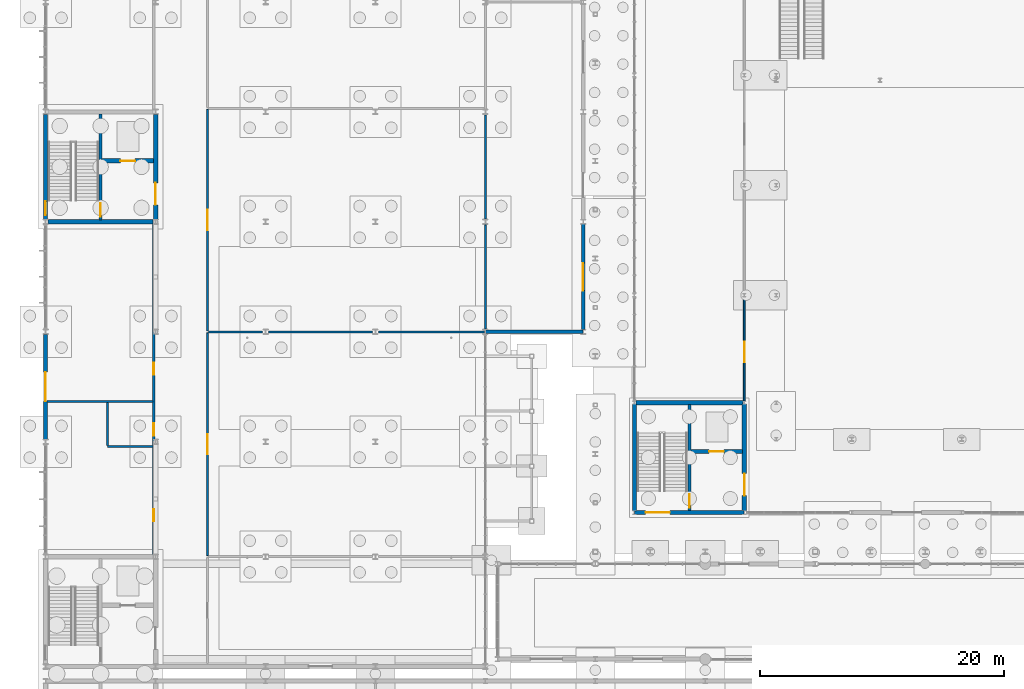
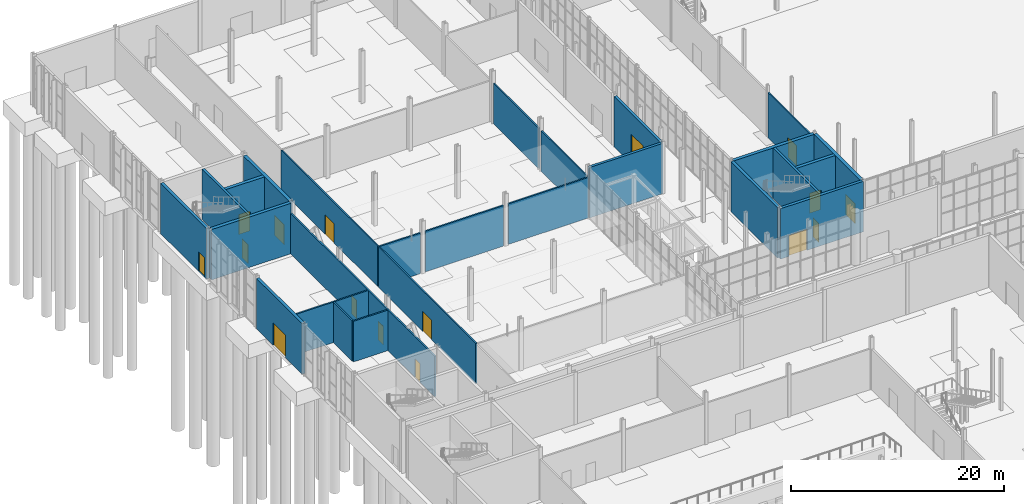
# One storey, part 101 of 131: 26 walls, 15 doors, 1 window, 16 openings.
"""IFC4 building model written with IfcOpenShell, lengths in metres."""

from ifc_helpers import new_model, si_unit, direction, frame, frame_2d, origin, place, context, subcontext, project, spatial, rectangle, extrude, material, layer, layer_set, type_object, element, fill, save


model = new_model("IFC4")

# Units and contexts
model_context = context("Model", 3, precision=1e-05, world=origin(), true_north=direction((0.0, 1.0)))
body_context = subcontext(model_context, "Body", "Model", "MODEL_VIEW")
ifc_project = project(units=[si_unit("LENGTHUNIT", "METRE"), si_unit("AREAUNIT", "SQUARE_METRE"), si_unit("VOLUMEUNIT", "CUBIC_METRE"), si_unit("PLANEANGLEUNIT", "RADIAN"), si_unit("MASSUNIT", "GRAM", prefix="KILO")], contexts=[model_context])

# Site, building, storey
site_placement = place(None, origin())
site = spatial("IfcSite", under=ifc_project, at=site_placement, CompositionType="ELEMENT")
building_placement = place(site_placement, origin())
building = spatial("IfcBuilding", under=site, at=building_placement, Name="Cazmaro Siding Exhibition Halls", CompositionType="ELEMENT")
storey_placement = place(building_placement, origin())
storey = spatial("IfcBuildingStorey", under=building, at=storey_placement, Name="L00", CompositionType="ELEMENT", Elevation=0.0)

# Wall, opening, door
ifc_material_1 = material(Name="Concrete f'c 45 MPa", Category="concrete")
ifc_layer_1 = layer(ifc_material_1, 0.320068359375)
ifc_layer_set_1 = layer_set([ifc_layer_1], Name="Concrete f'c 45 MPa")
wall_type_1 = type_object("IfcWallType", Name="EW-01", PredefinedType="STANDARD", material=ifc_layer_set_1)
wall_1_placement = place(storey_placement, frame((57.18798828125, 67.199951171875, 0.0), z_axis=(0.0, 0.0, 1.0), x_axis=(-1.0, 0.0, 0.0)))
wall_1 = element("IfcWall", 1, at=wall_1_placement, inside=storey, type_object=wall_type_1, Name="Hall A South Core Bay Wall EW-01 WL-E0001", PredefinedType="STANDARD", context=body_context, shape_type="SweptSolid", body=[
    extrude(rectangle(XDim=8.97607421875, YDim=0.320068359375, at=frame_2d((4.488037109375, 0.0))), origin(), (0.0, 0.0, 1.0), 5.780029296875),
])
opening_1_placement = place(wall_1_placement, frame((6.075927734375, 0.0, 0.0)))
opening_1 = element("IfcOpeningElement", 2, at=opening_1_placement, cuts=wall_1, Name="Opening D-E001", PredefinedType="OPENING", context=body_context, shape_type="SweptSolid", body=[
    extrude(rectangle(XDim=2.0, YDim=2.39990234375, at=frame_2d((1.0, 1.199951171875))), frame((0.0, 0.169921875, 0.0), z_axis=(0.0, -1.0, 0.0), x_axis=(1.0, 0.0, 0.0)), (0.0, 0.0, 1.0), 0.340087890625),
])
ifc_material_2 = material(Name="Anodized Bronze Glazed Entrance Door", Category="aluminium")
door_type_1 = type_object("IfcDoorType", Name="ED-01", OperationType="DOUBLE_DOOR_SINGLE_SWING", PredefinedType="DOOR", material=ifc_material_2)
door_1_placement = place(opening_1_placement, origin())
door_1 = element("IfcDoor", 3, at=door_1_placement, inside=storey, type_object=door_type_1, Name="Exterior door D-E001 (ED-01)", OperationType="DOUBLE_DOOR_SINGLE_SWING", OverallHeight=2.39990234375, OverallWidth=2.0, PredefinedType="DOOR", context=body_context, shape_type="SweptSolid", body=[
    extrude(rectangle(XDim=2.0, YDim=2.39990234375, at=frame_2d((1.0, 1.199951171875))), frame((0.0, 0.02490234375, 0.0), z_axis=(0.0, -1.0, 0.0), x_axis=(1.0, 0.0, 0.0)), (0.0, 0.0, 1.0), 0.050048828125),
])
fill(opening_1, door_1)

# Wall
wall_2_placement = place(storey_placement, frame((48.199951171875, 67.346923828125, 0.0), z_axis=(0.0, 0.0, 1.0), x_axis=(0.0, 1.0, 0.0)))
element("IfcWall", 4, at=wall_2_placement, inside=storey, type_object=wall_type_1, Name="Hall A Core End Wall L00 EW-01 WL-E0030", PredefinedType="STANDARD", context=body_context, shape_type="SweptSolid", body=[
    extrude(rectangle(XDim=8.72705078125, YDim=0.320068359375, at=frame_2d((4.363525390625, 0.0))), origin(), (0.0, 0.0, 1.0), 5.780029296875),
])

# Wall, opening, door
wall_3_placement = place(storey_placement, frame((0.0, 73.201904296875, 0.0), z_axis=(0.0, 0.0, 1.0), x_axis=(0.0, 1.0, 0.0)))
wall_3 = element("IfcWall", 5, at=wall_3_placement, inside=storey, type_object=wall_type_1, Name="West Wing Street Pier Wall L00 EW-01 WL-E0242", PredefinedType="STANDARD", context=body_context, shape_type="SweptSolid", body=[
    extrude(rectangle(XDim=8.59619140625, YDim=0.320068359375, at=frame_2d((4.298095703125, 0.0))), origin(), (0.0, 0.0, 1.0), 5.780029296875),
])
opening_2_placement = place(wall_3_placement, frame((3.097900390625, 0.0, 0.0)))
opening_2 = element("IfcOpeningElement", 6, at=opening_2_placement, cuts=wall_3, Name="Opening D-E062", PredefinedType="OPENING", context=body_context, shape_type="SweptSolid", body=[
    extrude(rectangle(XDim=2.39990234375, YDim=2.60009765625, at=frame_2d((1.199951171875, 1.300048828125))), frame((0.0, 0.169921875, 0.0), z_axis=(0.0, -1.0, 0.0), x_axis=(1.0, 0.0, 0.0)), (0.0, 0.0, 1.0), 0.340087890625),
])
ifc_material_3 = material(Name="Anodized Bronze Glazed Entrance Door", Category="aluminium")
door_type_2 = type_object("IfcDoorType", Name="ED-02", OperationType="DOUBLE_DOOR_SINGLE_SWING", PredefinedType="DOOR", material=ifc_material_3)
door_2_placement = place(opening_2_placement, origin())
door_2 = element("IfcDoor", 7, at=door_2_placement, inside=storey, type_object=door_type_2, Name="Exterior door D-E062 (ED-02)", OperationType="DOUBLE_DOOR_SINGLE_SWING", OverallHeight=2.60009765625, OverallWidth=2.39990234375, PredefinedType="DOOR", context=body_context, shape_type="SweptSolid", body=[
    extrude(rectangle(XDim=2.39990234375, YDim=2.60009765625, at=frame_2d((1.199951171875, 1.300048828125))), frame((0.0, 0.02490234375, 0.0), z_axis=(0.0, -1.0, 0.0), x_axis=(1.0, 0.0, 0.0)), (0.0, 0.0, 1.0), 0.050048828125),
])
fill(opening_2, door_2)

wall_4_placement = place(storey_placement, frame((0.0, 91.201904296875, 0.0), z_axis=(0.0, 0.0, 1.0), x_axis=(0.0, 1.0, 0.0)))
wall_4 = element("IfcWall", 8, at=wall_4_placement, inside=storey, type_object=wall_type_1, Name="West Wing Core Street Wall L00 EW-01 WL-E0244", PredefinedType="STANDARD", context=body_context, shape_type="SweptSolid", body=[
    extrude(rectangle(XDim=8.59619140625, YDim=0.320068359375, at=frame_2d((4.298095703125, 0.0))), origin(), (0.0, 0.0, 1.0), 5.780029296875),
])
opening_3_placement = place(wall_4_placement, frame((0.360107421875, 0.0, 0.0)))
opening_3 = element("IfcOpeningElement", 9, at=opening_3_placement, cuts=wall_4, Name="Opening D-E063", PredefinedType="OPENING", context=body_context, shape_type="SweptSolid", body=[
    extrude(rectangle(XDim=1.1201171875, YDim=2.239990234375, at=frame_2d((0.56005859375, 1.1201171875))), frame((0.0, 0.169921875, 0.0), z_axis=(0.0, -1.0, 0.0), x_axis=(1.0, 0.0, 0.0)), (0.0, 0.0, 1.0), 0.340087890625),
])
ifc_material_4 = material(Name="Anodized Bronze Glazed Entrance Door", Category="aluminium")
door_type_3 = type_object("IfcDoorType", Name="ED-04", OperationType="NOTDEFINED", PredefinedType="DOOR", material=ifc_material_4)
door_3_placement = place(opening_3_placement, origin())
door_3 = element("IfcDoor", 10, at=door_3_placement, inside=storey, type_object=door_type_3, Name="Exterior door D-E063 (ED-04)", OperationType="SINGLE_SWING_LEFT", OverallHeight=2.239990234375, OverallWidth=1.1201171875, PredefinedType="DOOR", context=body_context, shape_type="SweptSolid", body=[
    extrude(rectangle(XDim=1.1201171875, YDim=2.239990234375, at=frame_2d((0.56005859375, 1.1201171875))), frame((0.0, 0.02490234375, 0.0), z_axis=(0.0, -1.0, 0.0), x_axis=(1.0, 0.0, 0.0)), (0.0, 0.0, 1.0), 0.050048828125),
])
fill(opening_3, door_3)

# Wall, opening, window
ifc_material_5 = material(Name="Precast concrete f'c 40 MPa", Category="concrete")
ifc_layer_2 = layer(ifc_material_5, 0.280029296875)
ifc_layer_set_2 = layer_set([ifc_layer_2], Name="Precast concrete f'c 40 MPa")
wall_type_2 = type_object("IfcWallType", Name="EW-02", PredefinedType="STANDARD", material=ifc_layer_set_2)
wall_5_placement = place(storey_placement, frame((44.0, 90.818115234375, 0.0), z_axis=(0.0, 0.0, 1.0), x_axis=(0.0, -1.0, 0.0)))
wall_5 = element("IfcWall", 11, at=wall_5_placement, inside=storey, type_object=wall_type_2, Name="NW Wing East Wall L00 EW-02 WL-E0243", PredefinedType="STANDARD", context=body_context, shape_type="SweptSolid", body=[
    extrude(rectangle(XDim=8.63623046875, YDim=0.280029296875, at=frame_2d((4.318115234375, 0.0))), origin(), (0.0, 0.0, 1.0), 5.780029296875),
])
opening_4_placement = place(wall_5_placement, frame((3.193115234375, 0.0, 1.0)))
opening_4 = element("IfcOpeningElement", 12, at=opening_4_placement, cuts=wall_5, Name="Opening W-066", PredefinedType="OPENING", context=body_context, shape_type="SweptSolid", body=[
    extrude(rectangle(XDim=2.25, YDim=2.39990234375, at=frame_2d((1.125, 1.199951171875))), frame((0.0, 0.14990234375, 0.0), z_axis=(0.0, -1.0, 0.0), x_axis=(1.0, 0.0, 0.0)), (0.0, 0.0, 1.0), 0.300048828125),
])
ifc_material_6 = material(Name="Thermally Broken Aluminum Low-E Window Unit", Category="aluminium")
window_type = type_object("IfcWindowType", Name="WT-06", PartitioningType="SINGLE_PANEL", PredefinedType="WINDOW", material=ifc_material_6)
window_placement = place(opening_4_placement, origin())
window = element("IfcWindow", 13, at=window_placement, inside=storey, type_object=window_type, Name="Window W-066 (WT-06)", OverallHeight=2.39990234375, OverallWidth=2.25, PartitioningType="SINGLE_PANEL", PredefinedType="WINDOW", context=body_context, shape_type="SweptSolid", body=[
    extrude(rectangle(XDim=2.25, YDim=2.39990234375, at=frame_2d((1.125, 1.199951171875))), frame((0.0, 0.030029296875, 0.0), z_axis=(0.0, -1.0, 0.0), x_axis=(1.0, 0.0, 0.0)), (0.0, 0.0, 1.0), 0.06005859375),
])
fill(opening_4, window)

# Wall
wall_6_placement = place(storey_placement, frame((43.985107421875, 82.0, 0.0), z_axis=(0.0, 0.0, 1.0), x_axis=(-1.0, 0.0, 0.0)))
element("IfcWall", 14, at=wall_6_placement, inside=storey, type_object=wall_type_2, Name="NW Wing South Return Wall L00 EW-02 WL-E0250", PredefinedType="STANDARD", context=body_context, shape_type="SweptSolid", body=[
    extrude(rectangle(XDim=7.963134765625, YDim=0.280029296875, at=frame_2d((3.9814453125, 0.0))), origin(), (0.0, 0.0, 1.0), 5.780029296875),
])

# Wall, opening, door
ifc_material_7 = material(Name="Fire-Rated Gypsum Board on Cold-Formed Steel Studs", Category="steel")
ifc_layer_3 = layer(ifc_material_7, 0.14501953125)
ifc_layer_set_3 = layer_set([ifc_layer_3], Name="Fire-Rated Gypsum Board on Cold-Formed Steel Studs")
wall_type_3 = type_object("IfcWallType", Name="PW-01", PredefinedType="PARTITIONING", material=ifc_layer_set_3)
wall_7_placement = place(storey_placement, frame((57.199951171875, 76.326904296875, 0.0), z_axis=(0.0, 0.0, 1.0), x_axis=(0.0, 1.0, 0.0)))
wall_7 = element("IfcWall", 15, at=wall_7_placement, inside=storey, type_object=wall_type_3, Name="Hall A West Concierge Partition PW-01 WL-I0139", PredefinedType="PARTITIONING", context=body_context, shape_type="SweptSolid", body=[
    extrude(rectangle(XDim=8.546142578125, YDim=0.14501953125, at=frame_2d((4.27294921875, 0.0))), origin(), (0.0, 0.0, 1.0), 5.199951171875),
])
opening_5_placement = place(wall_7_placement, frame((3.199951171875, 0.0, 0.0)))
opening_5 = element("IfcOpeningElement", 16, at=opening_5_placement, cuts=wall_7, Name="Opening D-I064", PredefinedType="OPENING", context=body_context, shape_type="SweptSolid", body=[
    extrude(rectangle(XDim=1.64990234375, YDim=2.25, at=frame_2d((0.824951171875, 1.125))), frame((0.0, 0.08251953125, 0.0), z_axis=(0.0, -1.0, 0.0), x_axis=(1.0, 0.0, 0.0)), (0.0, 0.0, 1.0), 0.1650390625),
])
ifc_material_8 = material(Name="Fire-Rated Painted Hollow Metal Door", Category="steel")
door_type_4 = type_object("IfcDoorType", Name="ID-05", OperationType="DOUBLE_DOOR_SINGLE_SWING", PredefinedType="DOOR", material=ifc_material_8)
door_4_placement = place(opening_5_placement, origin())
door_4 = element("IfcDoor", 17, at=door_4_placement, inside=storey, type_object=door_type_4, Name="Interior door D-I064 (ID-05)", OperationType="DOUBLE_DOOR_SINGLE_SWING", OverallHeight=2.25, OverallWidth=1.64990234375, PredefinedType="DOOR", context=body_context, shape_type="SweptSolid", body=[
    extrude(rectangle(XDim=1.64990234375, YDim=2.25, at=frame_2d((0.824951171875, 1.125))), frame((0.0, 0.02490234375, 0.0), z_axis=(0.0, -1.0, 0.0), x_axis=(1.0, 0.0, 0.0)), (0.0, 0.0, 1.0), 0.050048828125),
])
fill(opening_5, door_4)

wall_8_placement = place(storey_placement, frame((13.25, 63.679931640625, 0.0), z_axis=(0.0, 0.0, 1.0), x_axis=(0.0, 1.0, 0.0)))
wall_8 = element("IfcWall", 18, at=wall_8_placement, inside=storey, type_object=wall_type_3, Name="West Wing East Corridor Wall L00 PW-01 WL-I0188", PredefinedType="PARTITIONING", context=body_context, shape_type="SweptSolid", body=[
    extrude(rectangle(XDim=18.239990234375, YDim=0.14501953125, at=frame_2d((9.1201171875, 0.0))), origin(), (0.0, 0.0, 1.0), 4.64990234375),
])
opening_6_placement = place(wall_8_placement, frame((8.294921875, 0.0, 0.0)))
opening_6 = element("IfcOpeningElement", 19, at=opening_6_placement, cuts=wall_8, Name="Opening D-I096", PredefinedType="OPENING", context=body_context, shape_type="SweptSolid", body=[
    extrude(rectangle(XDim=1.64990234375, YDim=2.25, at=frame_2d((0.824951171875, 1.125))), frame((0.0, 0.08251953125, 0.0), z_axis=(0.0, -1.0, 0.0), x_axis=(1.0, 0.0, 0.0)), (0.0, 0.0, 1.0), 0.1650390625),
])
door_5_placement = place(opening_6_placement, origin())
door_5 = element("IfcDoor", 20, at=door_5_placement, inside=storey, type_object=door_type_4, Name="Interior door D-I096 (ID-05)", OperationType="DOUBLE_DOOR_SINGLE_SWING", OverallHeight=2.25, OverallWidth=1.64990234375, PredefinedType="DOOR", context=body_context, shape_type="SweptSolid", body=[
    extrude(rectangle(XDim=1.64990234375, YDim=2.25, at=frame_2d((0.824951171875, 1.125))), frame((0.0, 0.02490234375, 0.0), z_axis=(0.0, -1.0, 0.0), x_axis=(1.0, 0.0, 0.0)), (0.0, 0.0, 1.0), 0.050048828125),
])
fill(opening_6, door_5)

wall_9_placement = place(storey_placement, frame((13.25, 82.080078125, 0.0), z_axis=(0.0, 0.0, 1.0), x_axis=(0.0, 1.0, 0.0)))
wall_9 = element("IfcWall", 21, at=wall_9_placement, inside=storey, type_object=wall_type_3, Name="West Wing East Corridor Wall L00 PW-01 WL-I0189", PredefinedType="PARTITIONING", context=body_context, shape_type="SweptSolid", body=[
    extrude(rectangle(XDim=18.139892578125, YDim=0.14501953125, at=frame_2d((9.06982421875, 0.0))), origin(), (0.0, 0.0, 1.0), 4.64990234375),
])
opening_7_placement = place(wall_9_placement, frame((8.2451171875, 0.0, 0.0)))
opening_7 = element("IfcOpeningElement", 22, at=opening_7_placement, cuts=wall_9, Name="Opening D-I097", PredefinedType="OPENING", context=body_context, shape_type="SweptSolid", body=[
    extrude(rectangle(XDim=1.64990234375, YDim=2.25, at=frame_2d((0.824951171875, 1.125))), frame((0.0, 0.08251953125, 0.0), z_axis=(0.0, -1.0, 0.0), x_axis=(1.0, 0.0, 0.0)), (0.0, 0.0, 1.0), 0.1650390625),
])
door_6_placement = place(opening_7_placement, origin())
door_6 = element("IfcDoor", 23, at=door_6_placement, inside=storey, type_object=door_type_4, Name="Interior door D-I097 (ID-05)", OperationType="DOUBLE_DOOR_SINGLE_SWING", OverallHeight=2.25, OverallWidth=1.64990234375, PredefinedType="DOOR", context=body_context, shape_type="SweptSolid", body=[
    extrude(rectangle(XDim=1.64990234375, YDim=2.25, at=frame_2d((0.824951171875, 1.125))), frame((0.0, 0.02490234375, 0.0), z_axis=(0.0, -1.0, 0.0), x_axis=(1.0, 0.0, 0.0)), (0.0, 0.0, 1.0), 0.050048828125),
])
fill(opening_7, door_6)

# Walls
for number, where, z_axis, x_axis, name in (
    (24, (36.0, 82.25, 0.0), (0.0, 0.0, 1.0), (0.0, 1.0, 0.0), "NW Wing Suite Wall L00 PW-01 WL-I0205"),
    (25, (36.0, 91.25, 0.0), (0.0, 0.0, 1.0), (0.0, 1.0, 0.0), "NW Wing Suite Wall L00 PW-01 WL-I0206"),
):
    element("IfcWall", number, at=place(storey_placement, frame(where, z_axis=z_axis, x_axis=x_axis)), inside=storey, type_object=wall_type_3, Name=name, PredefinedType="PARTITIONING", context=body_context, shape_type="SweptSolid", body=[
        extrude(rectangle(XDim=8.5, YDim=0.14501953125, at=frame_2d((4.25, 0.0))), origin(), (0.0, 0.0, 1.0), 4.64990234375),
    ])
ifc_material_9 = material(Name="Moisture-Resistant Gypsum Board on Acoustic Steel Studs", Category="steel")
ifc_layer_4 = layer(ifc_material_9, 0.1650390625)
ifc_layer_set_4 = layer_set([ifc_layer_4], Name="Moisture-Resistant Gypsum Board on Acoustic Steel Studs")
wall_type_4 = type_object("IfcWallType", Name="PW-02", PredefinedType="PARTITIONING", material=ifc_layer_set_4)
wall_10_placement = place(storey_placement, frame((13.320068359375, 82.0, 0.0), z_axis=(0.0, 0.0, 1.0), x_axis=(1.0, 0.0, 0.0)))
element("IfcWall", 26, at=wall_10_placement, inside=storey, type_object=wall_type_4, Name="West Wing East Room Divider L00 PW-02 WL-I0194", PredefinedType="PARTITIONING", context=body_context, shape_type="SweptSolid", body=[
    extrude(rectangle(XDim=4.429931640625, YDim=0.1650390625, at=frame_2d((2.21484375, 0.0))), origin(), (0.0, 0.0, 1.0), 4.64990234375),
])
wall_11_placement = place(storey_placement, frame((18.25, 82.0, 0.0), z_axis=(0.0, 0.0, 1.0), x_axis=(1.0, 0.0, 0.0)))
element("IfcWall", 27, at=wall_11_placement, inside=storey, type_object=wall_type_4, Name="West Wing East Room Divider L00 PW-02 WL-I0195", PredefinedType="PARTITIONING", context=body_context, shape_type="SweptSolid", body=[
    extrude(rectangle(XDim=8.5, YDim=0.1650390625, at=frame_2d((4.25, 0.0))), origin(), (0.0, 0.0, 1.0), 4.64990234375),
])
wall_12_placement = place(storey_placement, frame((27.25, 82.0, 0.0), z_axis=(0.0, 0.0, 1.0), x_axis=(1.0, 0.0, 0.0)))
element("IfcWall", 28, at=wall_12_placement, inside=storey, type_object=wall_type_4, Name="West Wing East Room Divider L00 PW-02 WL-I0196", PredefinedType="PARTITIONING", context=body_context, shape_type="SweptSolid", body=[
    extrude(rectangle(XDim=8.68994140625, YDim=0.1650390625, at=frame_2d((4.344970703125, 0.0))), origin(), (0.0, 0.0, 1.0), 4.64990234375),
])

# Wall, openings, doors
wall_13_placement = place(storey_placement, frame((8.85009765625, 63.780029296875, 0.0), z_axis=(0.0, 0.0, 1.0), x_axis=(0.0, 1.0, 0.0)))
wall_13 = element("IfcWall", 29, at=wall_13_placement, inside=storey, type_object=wall_type_4, Name="West Wing West Service Wall L00 PW-02 WL-I0200", PredefinedType="PARTITIONING", context=body_context, shape_type="SweptSolid", body=[
    extrude(rectangle(XDim=27.0400390625, YDim=0.1650390625, at=frame_2d((13.52001953125, 0.0))), origin(), (0.0, 0.0, 1.0), 4.64990234375),
])
opening_8_placement = place(wall_13_placement, frame((2.719970703125, 0.0, 0.0)))
opening_8 = element("IfcOpeningElement", 30, at=opening_8_placement, cuts=wall_13, Name="Opening D-I099", PredefinedType="OPENING", context=body_context, shape_type="SweptSolid", body=[
    extrude(rectangle(XDim=0.97998046875, YDim=2.14990234375, at=frame_2d((0.489990234375, 1.074951171875))), frame((0.0, 0.092529296875, 0.0), z_axis=(0.0, -1.0, 0.0), x_axis=(1.0, 0.0, 0.0)), (0.0, 0.0, 1.0), 0.18505859375),
])
opening_9_placement = place(wall_13_placement, frame((9.719970703125, 0.0, 0.0)))
opening_9 = element("IfcOpeningElement", 31, at=opening_9_placement, cuts=wall_13, Name="Opening D-I100", PredefinedType="OPENING", context=body_context, shape_type="SweptSolid", body=[
    extrude(rectangle(XDim=1.02001953125, YDim=2.159912109375, at=frame_2d((0.510009765625, 1.080078125))), frame((0.0, 0.092529296875, 0.0), z_axis=(0.0, -1.0, 0.0), x_axis=(1.0, 0.0, 0.0)), (0.0, 0.0, 1.0), 0.18505859375),
])
opening_10_placement = place(wall_13_placement, frame((14.719970703125, 0.0, 0.0)))
opening_10 = element("IfcOpeningElement", 32, at=opening_10_placement, cuts=wall_13, Name="Opening D-I101", PredefinedType="OPENING", context=body_context, shape_type="SweptSolid", body=[
    extrude(rectangle(XDim=0.949951171875, YDim=2.1201171875, at=frame_2d((0.47509765625, 1.06005859375))), frame((0.0, 0.092529296875, 0.0), z_axis=(0.0, -1.0, 0.0), x_axis=(1.0, 0.0, 0.0)), (0.0, 0.0, 1.0), 0.18505859375),
])
ifc_material_10 = material(Name="Fire-Rated Painted Hollow Metal Door", Category="steel")
door_type_5 = type_object("IfcDoorType", Name="ID-03", OperationType="NOTDEFINED", PredefinedType="DOOR", material=ifc_material_10)
door_7_placement = place(opening_8_placement, origin())
door_7 = element("IfcDoor", 33, at=door_7_placement, inside=storey, type_object=door_type_5, Name="Interior door D-I099 (ID-03)", OperationType="SINGLE_SWING_LEFT", OverallHeight=2.14990234375, OverallWidth=0.97998046875, PredefinedType="DOOR", context=body_context, shape_type="SweptSolid", body=[
    extrude(rectangle(XDim=0.97998046875, YDim=2.14990234375, at=frame_2d((0.489990234375, 1.074951171875))), frame((0.0, 0.02490234375, 0.0), z_axis=(0.0, -1.0, 0.0), x_axis=(1.0, 0.0, 0.0)), (0.0, 0.0, 1.0), 0.050048828125),
])
fill(opening_8, door_7)
ifc_material_11 = material(Name="Fire-Rated Painted Hollow Metal Door", Category="steel")
door_type_6 = type_object("IfcDoorType", Name="ID-04", OperationType="NOTDEFINED", PredefinedType="DOOR", material=ifc_material_11)
door_8_placement = place(opening_10_placement, origin())
door_8 = element("IfcDoor", 34, at=door_8_placement, inside=storey, type_object=door_type_6, Name="Interior door D-I101 (ID-04)", OperationType="SINGLE_SWING_LEFT", OverallHeight=2.1201171875, OverallWidth=0.949951171875, PredefinedType="DOOR", context=body_context, shape_type="SweptSolid", body=[
    extrude(rectangle(XDim=0.949951171875, YDim=2.1201171875, at=frame_2d((0.47509765625, 1.06005859375))), frame((0.0, 0.02490234375, 0.0), z_axis=(0.0, -1.0, 0.0), x_axis=(1.0, 0.0, 0.0)), (0.0, 0.0, 1.0), 0.050048828125),
])
fill(opening_10, door_8)
ifc_material_12 = material(Name="Fire-Rated Painted Hollow Metal Door", Category="steel")
door_type_7 = type_object("IfcDoorType", Name="ID-07", OperationType="NOTDEFINED", PredefinedType="DOOR", material=ifc_material_12)
door_9_placement = place(opening_9_placement, origin())
door_9 = element("IfcDoor", 35, at=door_9_placement, inside=storey, type_object=door_type_7, Name="Interior door D-I100 (ID-07)", OperationType="SINGLE_SWING_RIGHT", OverallHeight=2.159912109375, OverallWidth=1.02001953125, PredefinedType="DOOR", context=body_context, shape_type="SweptSolid", body=[
    extrude(rectangle(XDim=1.02001953125, YDim=2.159912109375, at=frame_2d((0.510009765625, 1.080078125))), frame((0.0, 0.02490234375, 0.0), z_axis=(0.0, -1.0, 0.0), x_axis=(1.0, 0.0, 0.0)), (0.0, 0.0, 1.0), 0.050048828125),
])
fill(opening_9, door_9)

# Walls
wall_14_placement = place(storey_placement, frame((5.050048828125, 72.60009765625, 0.0), z_axis=(0.0, 0.0, 1.0), x_axis=(1.0, 0.0, 0.0)))
element("IfcWall", 36, at=wall_14_placement, inside=storey, type_object=wall_type_4, Name="Accessible WC South Partition L00 PW-02 WL-I0202", PredefinedType="PARTITIONING", context=body_context, shape_type="SweptSolid", body=[
    extrude(rectangle(XDim=3.72998046875, YDim=0.1650390625, at=frame_2d((1.864990234375, 0.0))), origin(), (0.0, 0.0, 1.0), 4.64990234375),
])
wall_15_placement = place(storey_placement, frame((5.050048828125, 72.679931640625, 0.0), z_axis=(0.0, 0.0, 1.0), x_axis=(0.0, 1.0, 0.0)))
element("IfcWall", 37, at=wall_15_placement, inside=storey, type_object=wall_type_4, Name="Accessible WC West Partition L00 PW-02 WL-I0203", PredefinedType="PARTITIONING", context=body_context, shape_type="SweptSolid", body=[
    extrude(rectangle(XDim=3.5400390625, YDim=0.1650390625, at=frame_2d((1.77001953125, 0.0))), origin(), (0.0, 0.0, 1.0), 4.64990234375),
])
wall_16_placement = place(storey_placement, frame((0.10009765625, 76.300048828125, 0.0), z_axis=(0.0, 0.0, 1.0), x_axis=(1.0, 0.0, 0.0)))
element("IfcWall", 38, at=wall_16_placement, inside=storey, type_object=wall_type_4, Name="West Wing Restroom Divider L00 PW-02 WL-I0204", PredefinedType="PARTITIONING", context=body_context, shape_type="SweptSolid", body=[
    extrude(rectangle(XDim=8.679931640625, YDim=0.1650390625, at=frame_2d((4.33984375, 0.0))), origin(), (0.0, 0.0, 1.0), 4.64990234375),
])

# Wall, opening, door
ifc_material_13 = material(Name="Concrete f'c 50 MPa", Category="concrete")
ifc_layer_5 = layer(ifc_material_13, 0.360107421875)
ifc_layer_set_5 = layer_set([ifc_layer_5], Name="Concrete f'c 50 MPa")
wall_type_5 = type_object("IfcWallType", Name="SW-01", PredefinedType="SHEAR", material=ifc_layer_set_5)
wall_17_placement = place(storey_placement, frame((57.199951171875, 67.347900390625, 0.0), z_axis=(0.0, 0.0, 1.0), x_axis=(0.0, 1.0, 0.0)))
wall_17 = element("IfcWall", 39, at=wall_17_placement, inside=storey, type_object=wall_type_5, Name="Core C1 East Shear Wall SW-01 WL-I0001", PredefinedType="SHEAR", context=body_context, shape_type="SweptSolid", body=[
    extrude(rectangle(XDim=8.72509765625, YDim=0.360107421875, at=frame_2d((4.362548828125, 0.0))), origin(), (0.0, 0.0, 1.0), 5.780029296875),
])
opening_11_placement = place(wall_17_placement, frame((1.251953125, 0.0, 0.0)))
opening_11 = element("IfcOpeningElement", 40, at=opening_11_placement, cuts=wall_17, Name="Opening D-I002", PredefinedType="OPENING", context=body_context, shape_type="SweptSolid", body=[
    extrude(rectangle(XDim=1.800048828125, YDim=2.300048828125, at=frame_2d((0.89990234375, 1.14990234375))), frame((0.0, 0.18994140625, 0.0), z_axis=(0.0, -1.0, 0.0), x_axis=(1.0, 0.0, 0.0)), (0.0, 0.0, 1.0), 0.380126953125),
])
ifc_material_14 = material(Name="Fire-Rated Painted Hollow Metal Door", Category="steel")
door_type_8 = type_object("IfcDoorType", Name="ID-02", OperationType="DOUBLE_DOOR_SINGLE_SWING", PredefinedType="DOOR", material=ifc_material_14)
door_10_placement = place(opening_11_placement, origin())
door_10 = element("IfcDoor", 41, at=door_10_placement, inside=storey, type_object=door_type_8, Name="Interior door D-I002 (ID-02)", OperationType="DOUBLE_DOOR_SINGLE_SWING", OverallHeight=2.300048828125, OverallWidth=1.800048828125, PredefinedType="DOOR", context=body_context, shape_type="SweptSolid", body=[
    extrude(rectangle(XDim=1.800048828125, YDim=2.300048828125, at=frame_2d((0.89990234375, 1.14990234375))), frame((0.0, 0.02490234375, 0.0), z_axis=(0.0, -1.0, 0.0), x_axis=(1.0, 0.0, 0.0)), (0.0, 0.0, 1.0), 0.050048828125),
])
fill(opening_11, door_10)

# Wall
wall_18_placement = place(storey_placement, frame((48.323974609375, 76.199951171875, 0.0), z_axis=(0.0, 0.0, 1.0), x_axis=(1.0, 0.0, 0.0)))
element("IfcWall", 42, at=wall_18_placement, inside=storey, type_object=wall_type_5, Name="Core C1 North Shear Wall SW-01 WL-I0002", PredefinedType="SHEAR", context=body_context, shape_type="SweptSolid", body=[
    extrude(rectangle(XDim=8.751953125, YDim=0.360107421875, at=frame_2d((4.3759765625, 0.0))), origin(), (0.0, 0.0, 1.0), 5.780029296875),
])

# Wall, opening, door
wall_19_placement = place(storey_placement, frame((52.81494140625, 72.199951171875, 0.0), z_axis=(0.0, 0.0, 1.0), x_axis=(1.0, 0.0, 0.0)))
wall_19 = element("IfcWall", 43, at=wall_19_placement, inside=storey, type_object=wall_type_5, Name="Core C1 Lift Shaft Wall SW-01 WL-I0004", PredefinedType="SHEAR", context=body_context, shape_type="SweptSolid", body=[
    extrude(rectangle(XDim=4.219970703125, YDim=0.360107421875, at=frame_2d((2.10986328125, 0.0))), origin(), (0.0, 0.0, 1.0), 5.780029296875),
])
opening_12_placement = place(wall_19_placement, frame((1.510009765625, 0.0, 0.0)))
opening_12 = element("IfcOpeningElement", 44, at=opening_12_placement, cuts=wall_19, Name="Opening LD-001", PredefinedType="OPENING", context=body_context, shape_type="SweptSolid", body=[
    extrude(rectangle(XDim=1.199951171875, YDim=2.300048828125, at=frame_2d((0.60009765625, 1.14990234375))), frame((0.0, 0.18994140625, 0.0), z_axis=(0.0, -1.0, 0.0), x_axis=(1.0, 0.0, 0.0)), (0.0, 0.0, 1.0), 0.380126953125),
])
ifc_material_15 = material(Name="Stainless Steel Elevator Landing Door", Category="steel")
door_type_9 = type_object("IfcDoorType", Name="LD-01", OperationType="SLIDING_TO_LEFT", PredefinedType="DOOR", material=ifc_material_15)
door_11_placement = place(opening_12_placement, origin())
door_11 = element("IfcDoor", 45, at=door_11_placement, inside=storey, type_object=door_type_9, Name="Interior door LD-001 (LD-01)", OperationType="SLIDING_TO_LEFT", OverallHeight=2.300048828125, OverallWidth=1.199951171875, PredefinedType="DOOR", context=body_context, shape_type="SweptSolid", body=[
    extrude(rectangle(XDim=1.199951171875, YDim=2.300048828125, at=frame_2d((0.60009765625, 1.14990234375))), frame((0.0, 0.02490234375, 0.0), z_axis=(0.0, -1.0, 0.0), x_axis=(1.0, 0.0, 0.0)), (0.0, 0.0, 1.0), 0.050048828125),
])
fill(opening_12, door_11)

wall_20_placement = place(storey_placement, frame((9.0, 91.202880859375, 0.0), z_axis=(0.0, 0.0, 1.0), x_axis=(0.0, 1.0, 0.0)))
wall_20 = element("IfcWall", 46, at=wall_20_placement, inside=storey, type_object=wall_type_5, Name="Core C8 East Shear Wall SW-01 WL-I0099", PredefinedType="SHEAR", context=body_context, shape_type="SweptSolid", body=[
    extrude(rectangle(XDim=8.59423828125, YDim=0.360107421875, at=frame_2d((4.297119140625, 0.0))), origin(), (0.0, 0.0, 1.0), 5.780029296875),
])
opening_13_placement = place(wall_20_placement, frame((1.197021484375, 0.0, 0.0)))
opening_13 = element("IfcOpeningElement", 47, at=opening_13_placement, cuts=wall_20, Name="Opening D-I050", PredefinedType="OPENING", context=body_context, shape_type="SweptSolid", body=[
    extrude(rectangle(XDim=1.800048828125, YDim=2.300048828125, at=frame_2d((0.89990234375, 1.14990234375))), frame((0.0, 0.18994140625, 0.0), z_axis=(0.0, -1.0, 0.0), x_axis=(1.0, 0.0, 0.0)), (0.0, 0.0, 1.0), 0.380126953125),
])
door_12_placement = place(opening_13_placement, origin())
door_12 = element("IfcDoor", 48, at=door_12_placement, inside=storey, type_object=door_type_8, Name="Interior door D-I050 (ID-02)", OperationType="DOUBLE_DOOR_SINGLE_SWING", OverallHeight=2.300048828125, OverallWidth=1.800048828125, PredefinedType="DOOR", context=body_context, shape_type="SweptSolid", body=[
    extrude(rectangle(XDim=1.800048828125, YDim=2.300048828125, at=frame_2d((0.89990234375, 1.14990234375))), frame((0.0, 0.02490234375, 0.0), z_axis=(0.0, -1.0, 0.0), x_axis=(1.0, 0.0, 0.0)), (0.0, 0.0, 1.0), 0.050048828125),
])
fill(opening_13, door_12)

# Wall
wall_21_placement = place(storey_placement, frame((0.197998046875, 91.0, 0.0), z_axis=(0.0, 0.0, 1.0), x_axis=(1.0, 0.0, 0.0)))
element("IfcWall", 49, at=wall_21_placement, inside=storey, type_object=wall_type_5, Name="Core C8 South Shear Wall SW-01 WL-I0100", PredefinedType="SHEAR", context=body_context, shape_type="SweptSolid", body=[
    extrude(rectangle(XDim=8.60400390625, YDim=0.360107421875, at=frame_2d((4.302001953125, 0.0))), origin(), (0.0, 0.0, 1.0), 5.780029296875),
])

# Wall, opening, door
wall_22_placement = place(storey_placement, frame((4.614990234375, 96.0, 0.0), z_axis=(0.0, 0.0, 1.0), x_axis=(1.0, 0.0, 0.0)))
wall_22 = element("IfcWall", 50, at=wall_22_placement, inside=storey, type_object=wall_type_5, Name="Core C8 Lift Shaft Wall SW-01 WL-I0103", PredefinedType="SHEAR", context=body_context, shape_type="SweptSolid", body=[
    extrude(rectangle(XDim=4.219970703125, YDim=0.360107421875, at=frame_2d((2.10986328125, 0.0))), origin(), (0.0, 0.0, 1.0), 5.780029296875),
])
opening_14_placement = place(wall_22_placement, frame((1.510009765625, 0.0, 0.0)))
opening_14 = element("IfcOpeningElement", 51, at=opening_14_placement, cuts=wall_22, Name="Opening LD-025", PredefinedType="OPENING", context=body_context, shape_type="SweptSolid", body=[
    extrude(rectangle(XDim=1.199951171875, YDim=2.300048828125, at=frame_2d((0.60009765625, 1.14990234375))), frame((0.0, 0.18994140625, 0.0), z_axis=(0.0, -1.0, 0.0), x_axis=(1.0, 0.0, 0.0)), (0.0, 0.0, 1.0), 0.380126953125),
])
door_13_placement = place(opening_14_placement, origin())
door_13 = element("IfcDoor", 52, at=door_13_placement, inside=storey, type_object=door_type_9, Name="Interior door LD-025 (LD-01)", OperationType="SLIDING_TO_LEFT", OverallHeight=2.300048828125, OverallWidth=1.199951171875, PredefinedType="DOOR", context=body_context, shape_type="SweptSolid", body=[
    extrude(rectangle(XDim=1.199951171875, YDim=2.300048828125, at=frame_2d((0.60009765625, 1.14990234375))), frame((0.0, 0.02490234375, 0.0), z_axis=(0.0, -1.0, 0.0), x_axis=(1.0, 0.0, 0.0)), (0.0, 0.0, 1.0), 0.050048828125),
])
fill(opening_14, door_13)

ifc_material_16 = material(Name="Concrete f'c 50 MPa", Category="concrete")
ifc_layer_6 = layer(ifc_material_16, 0.25)
ifc_layer_set_6 = layer_set([ifc_layer_6], Name="Concrete f'c 50 MPa")
wall_type_6 = type_object("IfcWallType", Name="SW-02", PredefinedType="SHEAR", material=ifc_layer_set_6)
wall_23_placement = place(storey_placement, frame((52.699951171875, 67.364990234375, 0.0), z_axis=(0.0, 0.0, 1.0), x_axis=(0.0, 1.0, 0.0)))
wall_23 = element("IfcWall", 53, at=wall_23_placement, inside=storey, type_object=wall_type_6, Name="Core C1 Stair-Lobby Divider SW-02 WL-I0003", PredefinedType="SHEAR", context=body_context, shape_type="SweptSolid", body=[
    extrude(rectangle(XDim=8.669921875, YDim=0.25, at=frame_2d((4.3349609375, 0.0))), origin(), (0.0, 0.0, 1.0), 5.780029296875),
])
opening_15_placement = place(wall_23_placement, frame((0.25, 0.0, 0.0)))
opening_15 = element("IfcOpeningElement", 54, at=opening_15_placement, cuts=wall_23, Name="Opening D-I001", PredefinedType="OPENING", context=body_context, shape_type="SweptSolid", body=[
    extrude(rectangle(XDim=1.10009765625, YDim=2.199951171875, at=frame_2d((0.550048828125, 1.10009765625))), frame((0.0, 0.135009765625, 0.0), z_axis=(0.0, -1.0, 0.0), x_axis=(1.0, 0.0, 0.0)), (0.0, 0.0, 1.0), 0.27001953125),
])
ifc_material_17 = material(Name="Fire-Rated Painted Hollow Metal Door", Category="steel")
door_type_10 = type_object("IfcDoorType", Name="ID-01", OperationType="NOTDEFINED", PredefinedType="DOOR", material=ifc_material_17)
door_14_placement = place(opening_15_placement, origin())
door_14 = element("IfcDoor", 55, at=door_14_placement, inside=storey, type_object=door_type_10, Name="Interior door D-I001 (ID-01)", OperationType="SINGLE_SWING_RIGHT", OverallHeight=2.199951171875, OverallWidth=1.10009765625, PredefinedType="DOOR", context=body_context, shape_type="SweptSolid", body=[
    extrude(rectangle(XDim=1.10009765625, YDim=2.199951171875, at=frame_2d((0.550048828125, 1.10009765625))), frame((0.0, 0.02490234375, 0.0), z_axis=(0.0, -1.0, 0.0), x_axis=(1.0, 0.0, 0.0)), (0.0, 0.0, 1.0), 0.050048828125),
])
fill(opening_15, door_14)

wall_24_placement = place(storey_placement, frame((4.5, 91.1650390625, 0.0), z_axis=(0.0, 0.0, 1.0), x_axis=(0.0, 1.0, 0.0)))
wall_24 = element("IfcWall", 56, at=wall_24_placement, inside=storey, type_object=wall_type_6, Name="Core C8 Stair-Lobby Divider SW-02 WL-I0102", PredefinedType="SHEAR", context=body_context, shape_type="SweptSolid", body=[
    extrude(rectangle(XDim=8.669921875, YDim=0.25, at=frame_2d((4.3349609375, 0.0))), origin(), (0.0, 0.0, 1.0), 5.780029296875),
])
opening_16_placement = place(wall_24_placement, frame((0.25, 0.0, 0.0)))
opening_16 = element("IfcOpeningElement", 57, at=opening_16_placement, cuts=wall_24, Name="Opening D-I049", PredefinedType="OPENING", context=body_context, shape_type="SweptSolid", body=[
    extrude(rectangle(XDim=1.10009765625, YDim=2.199951171875, at=frame_2d((0.550048828125, 1.10009765625))), frame((0.0, 0.135009765625, 0.0), z_axis=(0.0, -1.0, 0.0), x_axis=(1.0, 0.0, 0.0)), (0.0, 0.0, 1.0), 0.27001953125),
])
door_15_placement = place(opening_16_placement, origin())
door_15 = element("IfcDoor", 58, at=door_15_placement, inside=storey, type_object=door_type_10, Name="Interior door D-I049 (ID-01)", OperationType="SINGLE_SWING_RIGHT", OverallHeight=2.199951171875, OverallWidth=1.10009765625, PredefinedType="DOOR", context=body_context, shape_type="SweptSolid", body=[
    extrude(rectangle(XDim=1.10009765625, YDim=2.199951171875, at=frame_2d((0.550048828125, 1.10009765625))), frame((0.0, 0.02490234375, 0.0), z_axis=(0.0, -1.0, 0.0), x_axis=(1.0, 0.0, 0.0)), (0.0, 0.0, 1.0), 0.050048828125),
])
fill(opening_16, door_15)

save(model, "model.ifc")
